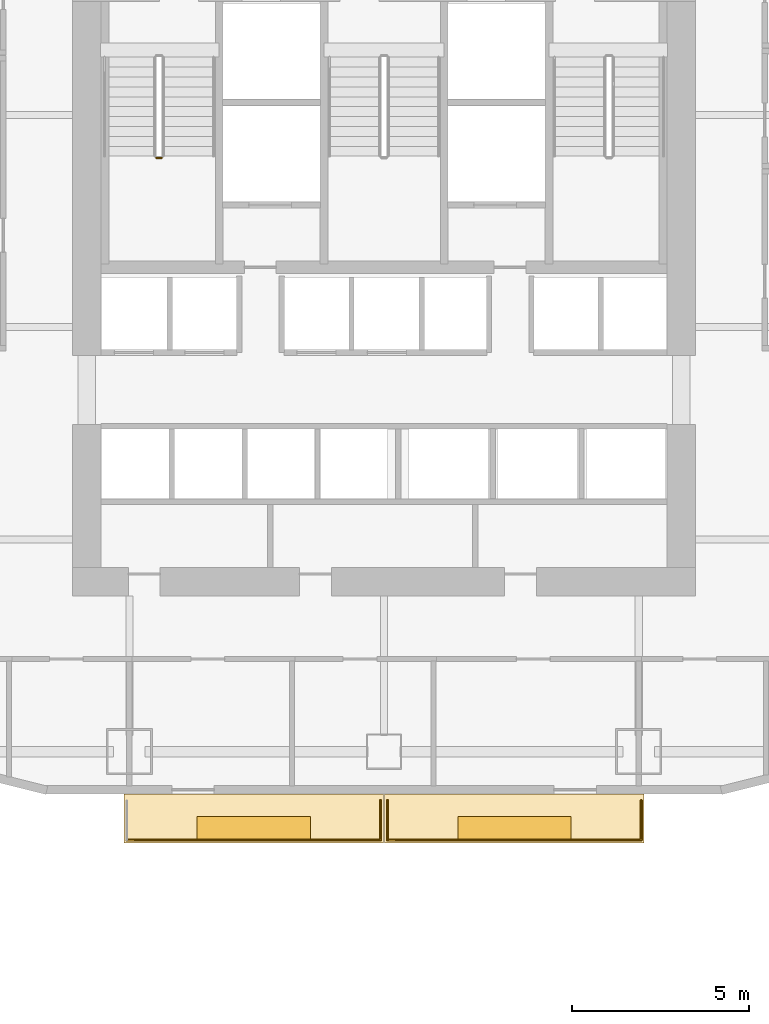
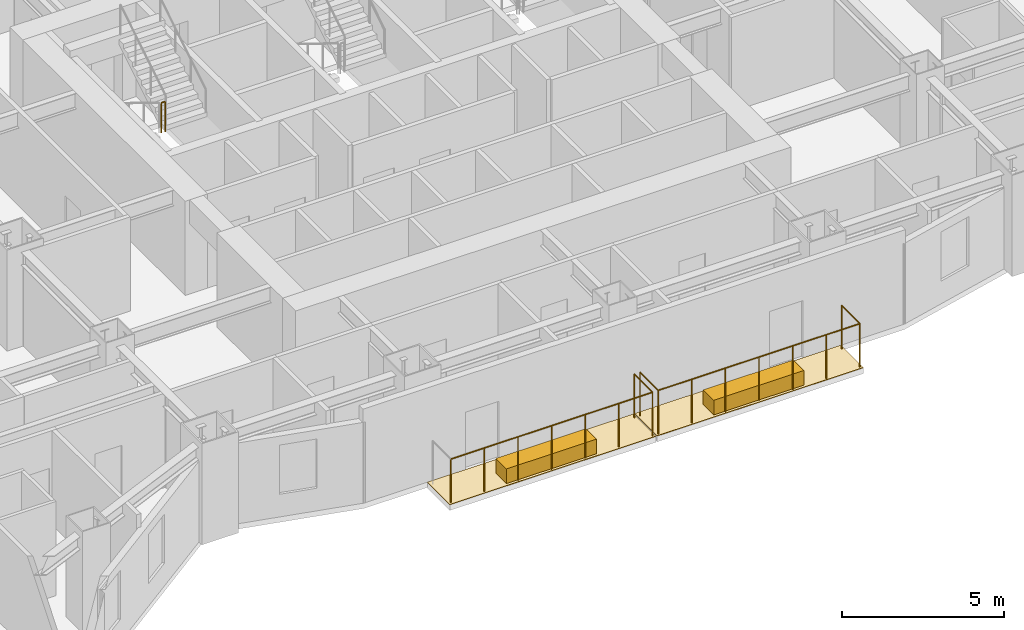
# One storey, part 16 of 19: 4 coverings, 4 railings.
"""IFC4 building model written with IfcOpenShell, lengths in metres."""

from ifc_helpers import new_model, si_unit, direction, frame, origin, origin_2d, place, context, subcontext, project, spatial, polyline, rectangle, circle, outline, extrude, material, layer, layer_set, type_object, element, save


model = new_model("IFC4")

# Units and contexts
model_context = context("Model", 3, precision=1e-05, world=origin(), true_north=direction((0.0, 1.0)))
body_context = subcontext(model_context, "Body", "Model", "MODEL_VIEW")
ifc_project = project(units=[si_unit("LENGTHUNIT", "METRE"), si_unit("AREAUNIT", "SQUARE_METRE"), si_unit("VOLUMEUNIT", "CUBIC_METRE"), si_unit("PLANEANGLEUNIT", "RADIAN"), si_unit("MASSUNIT", "GRAM", prefix="KILO")], contexts=[model_context])

# Site, building, storey
site_placement = place(None, origin())
site = spatial("IfcSite", under=ifc_project, at=site_placement, CompositionType="ELEMENT")
building_placement = place(site_placement, origin())
building = spatial("IfcBuilding", under=site, at=building_placement, Name="Haolan Belvedere Tower", CompositionType="ELEMENT")
storey_placement = place(building_placement, frame((0.0, 0.0, 39.199951171875)))
storey = spatial("IfcBuildingStorey", under=building, at=storey_placement, Name="L09", CompositionType="ELEMENT", Elevation=39.199951171875)

# Coverings
ifc_material_1 = material(Name="Engineered lightweight planted garden soil substrate", Category="masonry")
ifc_layer_1 = layer(ifc_material_1, 0.550048828125, Name="Engineered lightweight planted garden soil substrate")
ifc_layer_set_1 = layer_set([ifc_layer_1], Name="Engineered lightweight planted garden soil substrate")
covering_type_1 = type_object("IfcCoveringType", Name="COV-PLANT-550", PredefinedType="MEMBRANE", material=ifc_layer_set_1)
for number, where, z_axis, x_axis, name in (
    (1, (34.715087890625, 19.43994140625, 0.0), (0.0, 0.0, 1.0), (1.0, 0.0, 0.0), "L09 structural tree balcony PLANTER box 1"),
    (2, (42.0849609375, 19.43994140625, 0.0), (0.0, 0.0, 1.0), (1.0, 0.0, 0.0), "L09 structural tree balcony PLANTER box 2"),
):
    element("IfcCovering", number, at=place(storey_placement, frame(where, z_axis=z_axis, x_axis=x_axis)), inside=storey, type_object=covering_type_1, Name=name, PredefinedType="MEMBRANE", context=body_context, shape_type="SweptSolid", body=[
        extrude(rectangle(XDim=3.199951171875, YDim=0.64990234375, at=origin_2d()), origin(), (0.0, 0.0, 1.0), 0.550048828125),
    ])
ifc_material_2 = material(Name="Elastomeric waterproof roofing membrane and stone pavers", Category="masonry")
ifc_layer_2 = layer(ifc_material_2, 0.02001953125, Name="Elastomeric waterproof roofing membrane and stone pavers")
ifc_layer_set_2 = layer_set([ifc_layer_2], Name="Elastomeric waterproof roofing membrane and stone pavers")
covering_type_2 = type_object("IfcCoveringType", Name="COV-ROOF-20", PredefinedType="ROOFING", material=ifc_layer_set_2)
covering_1_placement = place(storey_placement, frame((0.0, 0.0, -0.02001953125)))
element("IfcCovering", 3, at=covering_1_placement, inside=storey, type_object=covering_type_2, Name="L09 tree-balcony waterproof membrane 1", PredefinedType="ROOFING", context=body_context, shape_type="SweptSolid", body=[
    extrude(outline(polyline([(31.050048828125, 19.02001953125), (38.3798828125, 19.02001953125), (38.3798828125, 20.39990234375), (31.050048828125, 20.39990234375), (31.050048828125, 19.02001953125)])), origin(), (0.0, 0.0, 1.0), 0.02001953125),
])
covering_2_placement = place(storey_placement, frame((0.0, 0.0, -0.02001953125)))
element("IfcCovering", 4, at=covering_2_placement, inside=storey, type_object=covering_type_2, Name="L09 tree-balcony waterproof membrane 2", PredefinedType="ROOFING", context=body_context, shape_type="SweptSolid", body=[
    extrude(outline(polyline([(38.419921875, 19.02001953125), (45.75, 19.02001953125), (45.75, 20.39990234375), (38.419921875, 20.39990234375), (38.419921875, 19.02001953125)])), origin(), (0.0, 0.0, 1.0), 0.02001953125),
])

# Railings
ifc_material_3 = material(Name="Brushed stainless steel 304", Category="steel")
railing_type_1 = type_object("IfcRailingType", Name="RL-STAIR-GRD-1150", PredefinedType="GUARDRAIL", material=ifc_material_3)
railing_1_placement = place(storey_placement, frame((31.969970703125, 38.3798828125, 1.900146484375)))
element("IfcRailing", 5, at=railing_1_placement, inside=storey, type_object=railing_type_1, Name="L09 ST1 stair guard 2", PredefinedType="GUARDRAIL", context=body_context, shape_type="SweptSolid", body=[
    extrude(circle(Radius=0.02392578125, at=origin_2d()), frame((0.0, 0.0, 1.1259765625), z_axis=(1.0, 0.0, 0.0), x_axis=(0.0, 1.0, 0.0)), (0.0, 0.0, 1.0), 0.14013671875),
    extrude(circle(Radius=0.02099609375, at=origin_2d()), origin(), (0.0, 0.0, 1.0), 1.101806640625),
    extrude(circle(Radius=0.02099609375, at=origin_2d()), frame((0.14013671875, 0.0, 0.0)), (0.0, 0.0, 1.0), 1.101806640625),
])
ifc_material_4 = material(Name="Anodised aluminium and laminated glass balustrade", Category="aluminium")
railing_type_2 = type_object("IfcRailingType", Name="RL-TER-BAL-1150", PredefinedType="BALUSTRADE", material=ifc_material_4)
railing_2_placement = place(storey_placement, frame((38.300048828125, 20.219970703125, 0.0)))
element("IfcRailing", 6, at=railing_2_placement, inside=storey, type_object=railing_type_2, Name="L09 outdoor perimeter balustrade BAL-L09-1-2", PredefinedType="BALUSTRADE", context=body_context, shape_type="SweptSolid", body=[
    extrude(circle(Radius=0.02392578125, at=origin_2d()), frame((0.0, 0.0, 1.6259765625), z_axis=(0.0, -1.0, 0.0), x_axis=(1.0, 0.0, 0.0)), (0.0, 0.0, 1.0), 1.119873046875),
    extrude(circle(Radius=0.02392578125, at=origin_2d()), frame((0.0, -1.119873046875, 1.6259765625), z_axis=(-1.0, 0.0, 0.0), x_axis=(0.0, -1.0, 0.0)), (0.0, 0.0, 1.0), 7.170166015625),
    extrude(circle(Radius=0.02099609375, at=origin_2d()), origin(), (0.0, 0.0, 1.0), 1.601806640625),
    extrude(circle(Radius=0.02099609375, at=origin_2d()), frame((0.0, -1.119873046875, 0.0)), (0.0, 0.0, 1.0), 1.601806640625),
    extrude(circle(Radius=0.02099609375, at=origin_2d()), frame((-1.195068359375, -1.119873046875, 0.0)), (0.0, 0.0, 1.0), 1.601806640625),
    extrude(circle(Radius=0.02099609375, at=origin_2d()), frame((-2.39013671875, -1.119873046875, 0.0)), (0.0, 0.0, 1.0), 1.601806640625),
    extrude(circle(Radius=0.02099609375, at=origin_2d()), frame((-3.5849609375, -1.119873046875, 0.0)), (0.0, 0.0, 1.0), 1.601806640625),
    extrude(circle(Radius=0.02099609375, at=origin_2d()), frame((-4.780029296875, -1.119873046875, 0.0)), (0.0, 0.0, 1.0), 1.601806640625),
    extrude(circle(Radius=0.02099609375, at=origin_2d()), frame((-5.97509765625, -1.119873046875, 0.0)), (0.0, 0.0, 1.0), 1.601806640625),
    extrude(circle(Radius=0.02099609375, at=origin_2d()), frame((-7.170166015625, -1.119873046875, 0.0)), (0.0, 0.0, 1.0), 1.601806640625),
])
railing_3_placement = place(storey_placement, frame((38.5, 19.10009765625, 0.0)))
element("IfcRailing", 7, at=railing_3_placement, inside=storey, type_object=railing_type_2, Name="L09 outdoor perimeter balustrade BAL-L09-2-1", PredefinedType="BALUSTRADE", context=body_context, shape_type="SweptSolid", body=[
    extrude(circle(Radius=0.02392578125, at=origin_2d()), frame((0.0, 0.0, 1.6259765625), z_axis=(0.0, 1.0, 0.0), x_axis=(-1.0, 0.0, 0.0)), (0.0, 0.0, 1.0), 1.119873046875),
    extrude(circle(Radius=0.02099609375, at=origin_2d()), origin(), (0.0, 0.0, 1.0), 1.601806640625),
    extrude(circle(Radius=0.02099609375, at=origin_2d()), frame((0.0, 1.119873046875, 0.0)), (0.0, 0.0, 1.0), 1.601806640625),
])
railing_4_placement = place(storey_placement, frame((45.669921875, 20.219970703125, 0.0)))
element("IfcRailing", 8, at=railing_4_placement, inside=storey, type_object=railing_type_2, Name="L09 outdoor perimeter balustrade BAL-L09-2-2", PredefinedType="BALUSTRADE", context=body_context, shape_type="SweptSolid", body=[
    extrude(circle(Radius=0.02392578125, at=origin_2d()), frame((0.0, 0.0, 1.6259765625), z_axis=(0.0, -1.0, 0.0), x_axis=(1.0, 0.0, 0.0)), (0.0, 0.0, 1.0), 1.119873046875),
    extrude(circle(Radius=0.02392578125, at=origin_2d()), frame((0.0, -1.119873046875, 1.6259765625), z_axis=(-1.0, 0.0, 0.0), x_axis=(0.0, -1.0, 0.0)), (0.0, 0.0, 1.0), 7.169921875),
    extrude(circle(Radius=0.02099609375, at=origin_2d()), origin(), (0.0, 0.0, 1.0), 1.601806640625),
    extrude(circle(Radius=0.02099609375, at=origin_2d()), frame((0.0, -1.119873046875, 0.0)), (0.0, 0.0, 1.0), 1.601806640625),
    extrude(circle(Radius=0.02099609375, at=origin_2d()), frame((-1.195068359375, -1.119873046875, 0.0)), (0.0, 0.0, 1.0), 1.601806640625),
    extrude(circle(Radius=0.02099609375, at=origin_2d()), frame((-2.389892578125, -1.119873046875, 0.0)), (0.0, 0.0, 1.0), 1.601806640625),
    extrude(circle(Radius=0.02099609375, at=origin_2d()), frame((-3.5849609375, -1.119873046875, 0.0)), (0.0, 0.0, 1.0), 1.601806640625),
    extrude(circle(Radius=0.02099609375, at=origin_2d()), frame((-4.780029296875, -1.119873046875, 0.0)), (0.0, 0.0, 1.0), 1.601806640625),
    extrude(circle(Radius=0.02099609375, at=origin_2d()), frame((-5.974853515625, -1.119873046875, 0.0)), (0.0, 0.0, 1.0), 1.601806640625),
    extrude(circle(Radius=0.02099609375, at=origin_2d()), frame((-7.169921875, -1.119873046875, 0.0)), (0.0, 0.0, 1.0), 1.601806640625),
])

save(model, "model.ifc")
